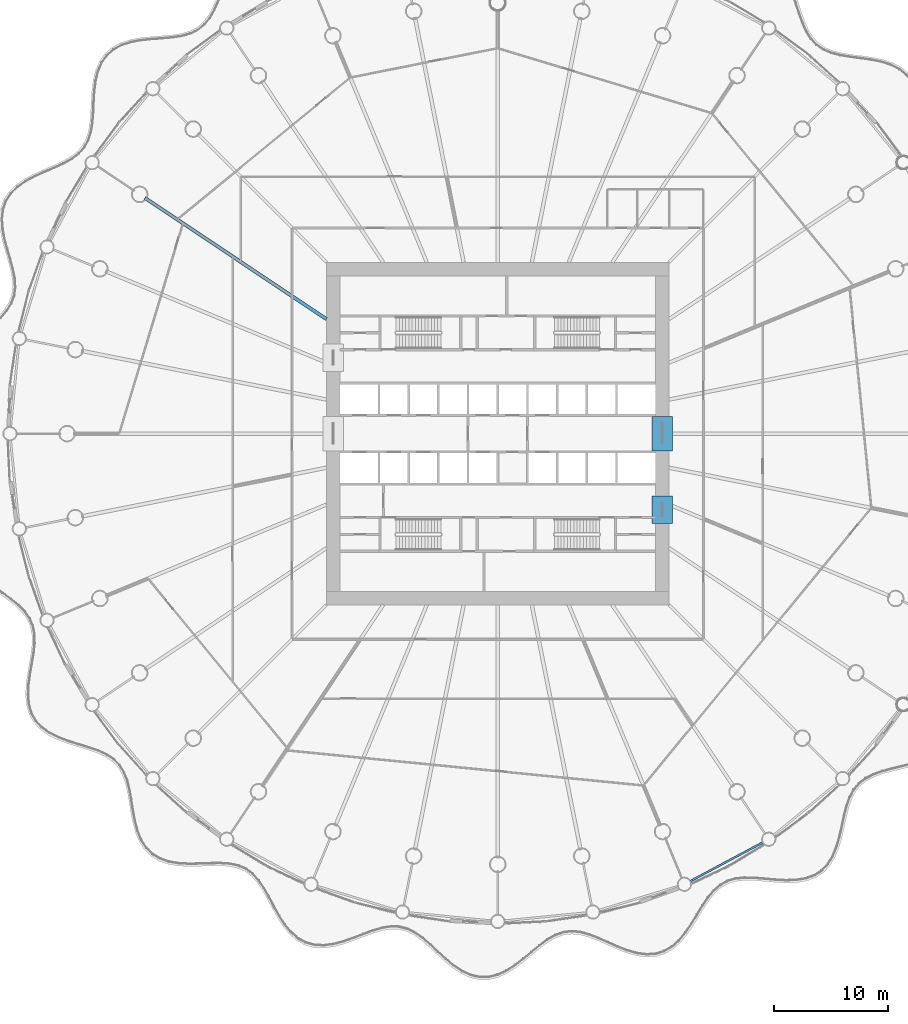
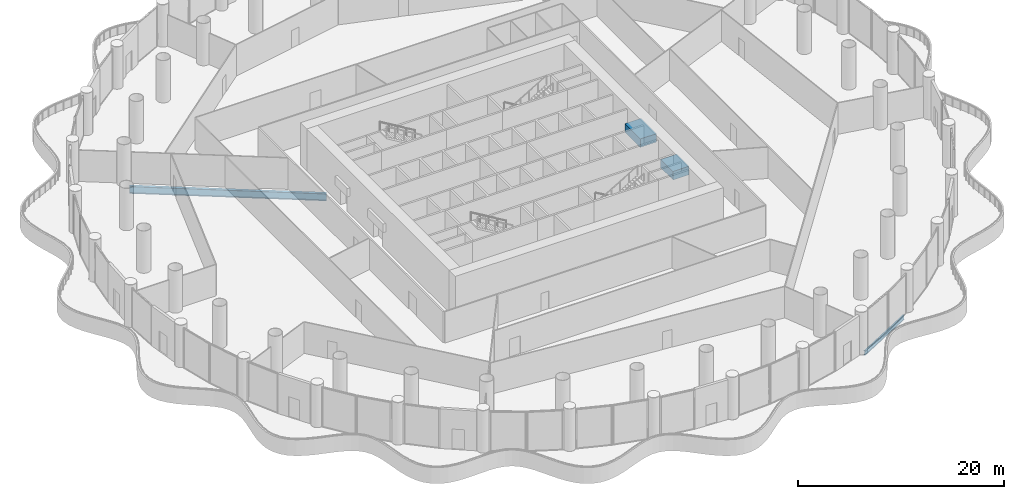
# One storey, part 9 of 38: 4 beams.
"""IFC4 building model written with IfcOpenShell, lengths in metres."""

import ifcopenshell
import ifcopenshell.guid

model = None  # the IFC model being written
_history = None  # IfcOwnerHistory: only IFC2X3 demands one
_inside = {}  # id of a spatial element -> (the spatial element, [elements in it])
_under = {}  # id of a project, library or spatial element -> (it, [spatial elements below it])
_declared = {}  # id of a project -> (the project, [libraries it declares])
_typed = {}  # id of a type object -> (the type object, [elements of that type])
_made_of = {}  # id of a material, layer set ... -> (it, [elements and type objects made of it])


def new_model(schema):
    """Start an empty IFC model of exactly this schema.

    Asked for "IFC4X3", IfcOpenShell would pick the latest addendum, in which some entities
    have other attributes; the version numbers below select the first issue.
    IFC2X3 requires an IfcOwnerHistory on every rooted entity: one is made here for all.
    """
    global model, _history
    if schema == "IFC4X3":
        model = ifcopenshell.file(schema_version=(4, 3, 0, 0))
    else:
        model = ifcopenshell.file(schema=schema)
    _inside.clear()
    _under.clear()
    _declared.clear()
    _typed.clear()
    _made_of.clear()
    _history = None
    if model.schema == "IFC2X3":
        org = make("IfcOrganization", Name="unknown")
        user = make(
            "IfcPersonAndOrganization",
            ThePerson=make("IfcPerson", FamilyName="unknown"),
            TheOrganization=org,
        )
        app = make(
            "IfcApplication",
            ApplicationDeveloper=org,
            Version="unknown",
            ApplicationFullName="unknown",
            ApplicationIdentifier="unknown",
        )
        _history = make(
            "IfcOwnerHistory",
            OwningUser=user,
            OwningApplication=app,
            ChangeAction="ADDED",
            CreationDate=0,
        )
    return model


def make(cls, **values):
    """One entity of the class cls with the attributes given. An attribute that is None is left unset."""
    return model.create_entity(
        cls, **{name: value for name, value in values.items() if value is not None}
    )


def rooted(cls, **values):
    """An entity with a GlobalId (a new one), such as an element, a storey or a relation."""
    return make(cls, GlobalId=ifcopenshell.guid.new(), OwnerHistory=_history, **values)


def si_unit(unit_type, name, prefix=None):
    """IfcSIUnit, for example si_unit("LENGTHUNIT", "METRE", prefix="MILLI")."""
    return make("IfcSIUnit", UnitType=unit_type, Prefix=prefix, Name=name)


def assignment(units):
    """IfcUnitAssignment: the units of a project."""
    return None if units is None else make("IfcUnitAssignment", Units=units)


def point(xyz):
    """IfcCartesianPoint."""
    return None if xyz is None else make("IfcCartesianPoint", Coordinates=xyz)


def direction(xyz):
    """IfcDirection."""
    return None if xyz is None else make("IfcDirection", DirectionRatios=xyz)


def frame(location, z_axis=None, x_axis=None):
    """IfcAxis2Placement3D, a coordinate frame: its origin and axes. An axis left out is left unset."""
    return make(
        "IfcAxis2Placement3D",
        Location=point(location),
        Axis=direction(z_axis),
        RefDirection=direction(x_axis),
    )


def frame_2d(location, x_axis=None):
    """IfcAxis2Placement2D, a coordinate frame in the plane: its origin and x axis."""
    return make(
        "IfcAxis2Placement2D", Location=point(location), RefDirection=direction(x_axis)
    )


def origin():
    """The frame at (0, 0, 0) with its axes left unset."""
    return frame((0.0, 0.0, 0.0))


def origin_2d():
    """The frame at (0, 0) in the plane with its x axis left unset."""
    return frame_2d((0.0, 0.0))


def place(relative_to, where):
    """IfcLocalPlacement: puts the frame where relative to a parent placement (None: the world)."""
    return make(
        "IfcLocalPlacement", PlacementRelTo=relative_to, RelativePlacement=where
    )


def context(
    kind, dimensions, precision=None, world=None, true_north=None, identifier=None
):
    """IfcGeometricRepresentationContext, for example the 3D "Model" context."""
    return make(
        "IfcGeometricRepresentationContext",
        ContextIdentifier=identifier,
        ContextType=kind,
        CoordinateSpaceDimension=dimensions,
        Precision=precision,
        WorldCoordinateSystem=world,
        TrueNorth=true_north,
    )


def subcontext(parent, identifier, kind, view, scale=None):
    """IfcGeometricRepresentationSubContext, for example "Body" below "Model"."""
    return make(
        "IfcGeometricRepresentationSubContext",
        ContextIdentifier=identifier,
        ContextType=kind,
        ParentContext=parent,
        TargetScale=scale,
        TargetView=view,
    )


def project(units=None, contexts=None):
    """IfcProject with its units and contexts."""
    return rooted(
        "IfcProject",
        Name="project",
        RepresentationContexts=contexts,
        UnitsInContext=assignment(units),
    )


def spatial(cls, under=None, at=None, **own):
    """A site, building, storey or space (cls), placed at a placement, below another one or the project."""
    s = rooted(cls, ObjectPlacement=at, **own)
    if under is not None:
        _under.setdefault(under.id(), (under, []))[1].append(s)
    return s


def profile(cls, at=None, kind="AREA", **sizes):
    """A parametric profile (cls). Its sizes go by their IFC names, for example OverallWidth=200.0."""
    return make(cls, ProfileType=kind, Position=at, **sizes)


def rectangle(**sizes):
    """IfcRectangleProfileDef."""
    return profile("IfcRectangleProfileDef", **sizes)


def i_section(**sizes):
    """IfcIShapeProfileDef."""
    return profile("IfcIShapeProfileDef", **sizes)


def extrude(swept, where, along, depth):
    """IfcExtrudedAreaSolid: the profile swept, set in the frame where, extruded along a direction by depth."""
    return make(
        "IfcExtrudedAreaSolid",
        SweptArea=swept,
        Position=where,
        ExtrudedDirection=direction(along),
        Depth=depth,
    )


def shape(context_of_items, identifier, shape_type, items):
    """IfcShapeRepresentation: the items that make up one representation, for example the "Body"."""
    return make(
        "IfcShapeRepresentation",
        ContextOfItems=context_of_items,
        RepresentationIdentifier=identifier,
        RepresentationType=shape_type,
        Items=items,
    )


def material(Name=None, Category=None):
    """IfcMaterial."""
    return make("IfcMaterial", Name=Name, Category=Category)


def material_profile(
    of_material, cross_section, Name=None, Category=None, Priority=None
):
    """IfcMaterialProfile: a cross section and its material."""
    return make(
        "IfcMaterialProfile",
        Name=Name,
        Material=of_material,
        Profile=cross_section,
        Priority=Priority,
        Category=Category,
    )


def profile_set(profiles, Name=None, composite=None):
    """IfcMaterialProfileSet."""
    return make(
        "IfcMaterialProfileSet",
        Name=Name,
        MaterialProfiles=profiles,
        CompositeProfile=composite,
    )


def made_of(thing, what):
    """Note that an element or type object is made of a material, layer set ...; save() writes the relation."""
    if what is not None:
        _made_of.setdefault(what.id(), (what, []))[1].append(thing)
    return thing


def type_object(cls, material=None, **own):
    """A type object (cls), such as IfcWallType, which elements share."""
    return made_of(rooted(cls, **own), material)


def element(
    cls,
    number,
    at=None,
    inside=None,
    cuts=None,
    type_object=None,
    material=None,
    context=None,
    identifier="Body",
    shape_type=None,
    held_by="IfcProductDefinitionShape",
    body=None,
    shapes=None,
    **own,
):
    """One element of the class cls, such as IfcWall. Its Tag is "e" and its number.

    at: its placement. inside: the storey or other place that contains it. cuts: it is an
    opening in that element (IfcRelVoidsElement). A single representation is given by context,
    identifier, shape_type and body (its items); several are given by shapes. held_by: the class
    of the entity that holds the representations. save() writes the other relations.
    """
    e = rooted(cls, Tag="e%d" % number, ObjectPlacement=at, **own)
    if body is not None:
        shapes = [shape(context, identifier, shape_type, body)]
    if shapes is not None:
        e.Representation = make(held_by, Representations=shapes)
    if inside is not None:
        _inside.setdefault(inside.id(), (inside, []))[1].append(e)
    if cuts is not None:
        rooted(
            "IfcRelVoidsElement", RelatingBuildingElement=cuts, RelatedOpeningElement=e
        )
    if type_object is not None:
        _typed.setdefault(type_object.id(), (type_object, []))[1].append(e)
    return made_of(e, material)


def aggregate(whole, parts):
    """IfcRelAggregates: a whole, such as a stair, and the parts it consists of."""
    return rooted("IfcRelAggregates", RelatingObject=whole, RelatedObjects=parts)


def save(model, path):
    """Write the relations noted so far, then the file.

    IfcRelAggregates (storeys below a building ...), IfcRelContainedInSpatialStructure (elements
    in a storey), IfcRelDefinesByType, IfcRelAssociatesMaterial and IfcRelDeclares: one each for
    every whole, place, type object, material and project.
    """
    for whole, parts in _under.values():
        aggregate(whole, parts)
    for where, things in _inside.values():
        rooted(
            "IfcRelContainedInSpatialStructure",
            RelatedElements=things,
            RelatingStructure=where,
        )
    for kind, things in _typed.values():
        rooted("IfcRelDefinesByType", RelatedObjects=things, RelatingType=kind)
    for what, things in _made_of.values():
        rooted("IfcRelAssociatesMaterial", RelatedObjects=things, RelatingMaterial=what)
    for by, libraries in _declared.values():
        rooted("IfcRelDeclares", RelatingContext=by, RelatedDefinitions=libraries)
    model.write(path)


model = new_model("IFC4")

# Units and contexts
model_context = context("Model", 3, precision=1e-05, world=origin(), true_north=direction((0.0, 1.0)))
body_context = subcontext(model_context, "Body", "Model", "MODEL_VIEW")
ifc_project = project(units=[si_unit("LENGTHUNIT", "METRE"), si_unit("AREAUNIT", "SQUARE_METRE"), si_unit("VOLUMEUNIT", "CUBIC_METRE"), si_unit("PLANEANGLEUNIT", "RADIAN"), si_unit("MASSUNIT", "GRAM", prefix="KILO")], contexts=[model_context])

# Site, building, storey
site_placement = place(None, origin())
site = spatial("IfcSite", under=ifc_project, at=site_placement, CompositionType="ELEMENT")
building_placement = place(site_placement, origin())
building = spatial("IfcBuilding", under=site, at=building_placement, Name="Corvane Civic Tower", CompositionType="ELEMENT")
storey_placement = place(building_placement, frame((0.0, 0.0, 32.0)))
storey = spatial("IfcBuildingStorey", under=building, at=storey_placement, Name="L06", CompositionType="ELEMENT", Elevation=32.0)

# Beams
ifc_material_1 = material(Name="Concrete C80/95", Category="concrete")
ifc_material_profile_1 = material_profile(ifc_material_1, rectangle(XDim=1.800048828125, YDim=1.0, at=origin_2d()), Name="COUPLING BEAM 1800X1000")
ifc_profile_set_1 = profile_set([ifc_material_profile_1], Name="Concrete C80/95")
beam_type_1 = type_object("IfcBeamType", Name="COUPLING BEAM COUPLING BEAM 1800X1000", PredefinedType="BEAM", material=ifc_profile_set_1)
beam_1_placement = place(storey_placement, frame((14.39990234375, -1.5, 2.60009765625), z_axis=(0.0, 1.0, 0.0), x_axis=(-1.0, 0.0, 0.0)))
element("IfcBeam", 1, at=beam_1_placement, inside=storey, type_object=beam_type_1, Name="BM-L06-cpl-CW-LE", PredefinedType="BEAM", context=body_context, shape_type="SweptSolid", body=[
    extrude(rectangle(XDim=1.800048828125, YDim=1.0, at=origin_2d()), origin(), (0.0, 0.0, 1.0), 3.0),
])
beam_2_placement = place(storey_placement, frame((14.39990234375, -7.85009765625, 2.60009765625), z_axis=(0.0, 1.0, 0.0), x_axis=(-1.0, 0.0, 0.0)))
element("IfcBeam", 2, at=beam_2_placement, inside=storey, type_object=beam_type_1, Name="BM-L06-cpl-CW-ES", PredefinedType="BEAM", context=body_context, shape_type="SweptSolid", body=[
    extrude(rectangle(XDim=1.800048828125, YDim=1.0, at=origin_2d()), origin(), (0.0, 0.0, 1.0), 2.400146484375),
])
ifc_material_2 = material(Name="Steel ASTM A992 Gr 50", Category="steel")
ifc_material_profile_2 = material_profile(ifc_material_2, i_section(OverallWidth=0.165771484375, OverallDepth=0.5283203125, WebThickness=0.009765625, FlangeThickness=0.013671875, at=origin_2d()), Name="W21X50")
ifc_profile_set_2 = profile_set([ifc_material_profile_2], Name="Steel ASTM A992 Gr 50")
beam_type_2 = type_object("IfcBeamType", Name="EDGE BEAM W21X50", PredefinedType="BEAM", material=ifc_profile_set_2)
beam_3_placement = place(storey_placement, frame((23.23779296875, -35.762939453125, -0.564208984375), z_axis=(-0.881912894916, -0.471412394598, 0.0), x_axis=(0.471412394598, -0.881912894916, 0.0)))
element("IfcBeam", 3, at=beam_3_placement, inside=storey, type_object=beam_type_2, Name="BM-L06-E14", PredefinedType="BEAM", context=body_context, shape_type="SweptSolid", body=[
    extrude(i_section(OverallWidth=0.165771484375, OverallDepth=0.5283203125, WebThickness=0.009765625, FlangeThickness=0.013671875, at=origin_2d()), origin(), (0.0, 0.0, 1.0), 7.270751953125),
])
ifc_material_3 = material(Name="Steel ASTM A992 Gr 50", Category="steel")
ifc_material_profile_3 = material_profile(ifc_material_3, i_section(OverallWidth=0.2919921875, OverallDepth=0.845703125, WebThickness=0.015380859375, FlangeThickness=0.0244140625, at=origin_2d()), Name="W33X141")
ifc_profile_set_3 = profile_set([ifc_material_profile_3], Name="Steel ASTM A992 Gr 50")
beam_type_3 = type_object("IfcBeamType", Name="FLOOR GIRDER W33X141", PredefinedType="BEAM", material=ifc_profile_set_3)
beam_4_placement = place(storey_placement, frame((-15.0, 10.022705078125, -0.722900390625), z_axis=(-0.831471985418, 0.555566681385, 0.0), x_axis=(-0.555566681385, -0.831471985418, 0.0)))
element("IfcBeam", 4, at=beam_4_placement, inside=storey, type_object=beam_type_3, Name="BM-L06-G28", PredefinedType="BEAM", context=body_context, shape_type="SweptSolid", body=[
    extrude(i_section(OverallWidth=0.2919921875, OverallDepth=0.845703125, WebThickness=0.015380859375, FlangeThickness=0.0244140625, at=origin_2d()), origin(), (0.0, 0.0, 1.0), 19.109619140625),
])

save(model, "model.ifc")
